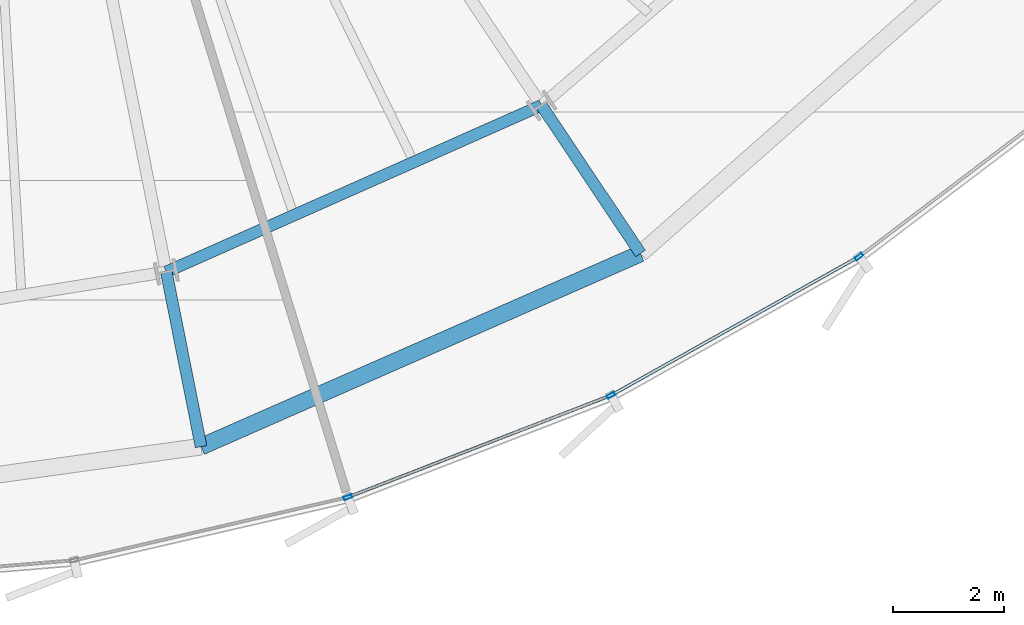
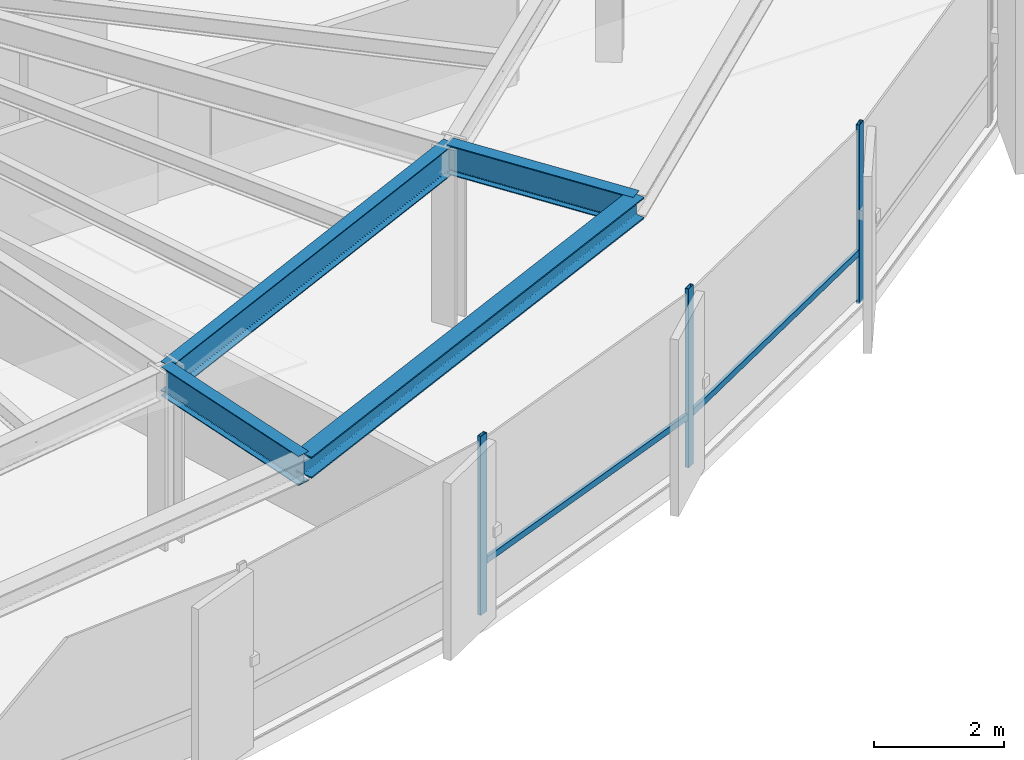
# One storey, part 12 of 35: 5 members, 4 beams, 1 element without a shape of its own.
"""IFC4 building model written with IfcOpenShell, lengths in metres."""

from ifc_helpers import new_model, si_unit, direction, frame, origin, origin_2d, place, context, subcontext, project, spatial, hollow_rectangle, i_section, extrude, source, transform, mapped, material, layer, layer_set, material_profile, profile_set, type_object, element, aggregate, save


model = new_model("IFC4")

# Units and contexts
model_context = context("Model", 3, precision=1e-05, world=origin(), true_north=direction((0.0, 1.0)))
body_context = subcontext(model_context, "Body", "Model", "MODEL_VIEW")
ifc_project = project(units=[si_unit("LENGTHUNIT", "METRE"), si_unit("AREAUNIT", "SQUARE_METRE"), si_unit("VOLUMEUNIT", "CUBIC_METRE"), si_unit("PLANEANGLEUNIT", "RADIAN"), si_unit("MASSUNIT", "GRAM", prefix="KILO"), si_unit("THERMODYNAMICTEMPERATUREUNIT", "KELVIN")], contexts=[model_context])

# Site, building, storey
site_placement = place(None, origin())
site = spatial("IfcSite", under=ifc_project, at=site_placement, CompositionType="ELEMENT")
building_placement = place(site_placement, origin())
building = spatial("IfcBuilding", under=site, at=building_placement, Name="Kethvar Cultural Tower", CompositionType="ELEMENT")
storey_placement = place(building_placement, frame((0.0, 0.0, 103.60009765625)))
storey = spatial("IfcBuildingStorey", under=building, at=storey_placement, Name="L25", CompositionType="ELEMENT", Elevation=103.60009765625)

# Beams
ifc_material_1 = material(Name="Steel S355J2", Category="steel")
ifc_material_profile_1 = material_profile(ifc_material_1, i_section(OverallWidth=0.2099609375, OverallDepth=0.550048828125, WebThickness=0.010986328125, FlangeThickness=0.01708984375, FilletRadius=0.02392578125, at=origin_2d()), Name="Steel S355J2 — IPE550")
ifc_profile_set_1 = profile_set([ifc_material_profile_1], Name="Steel S355J2 — IPE550")
beam_type_1 = type_object("IfcBeamType", Name="BM-IPE550", PredefinedType="BEAM", material=ifc_profile_set_1)
shared_shape_1 = source(origin(), body_context, "Body", "SweptSolid", [
    extrude(i_section(OverallWidth=0.2099609375, OverallDepth=0.550048828125, WebThickness=0.010986328125, FlangeThickness=0.01708984375, FilletRadius=0.02392578125, at=origin_2d()), origin(), (0.0, 0.0, 1.0), 3.199951171875),
])
beam_1_placement = place(storey_placement, frame((57.241943359375, 12.17236328125, 3.072998046875), z_axis=(0.555580212716, -0.831462943996, 0.0), x_axis=(0.831462943996, 0.555580212716, 0.0)))
element("IfcBeam", 1, at=beam_1_placement, inside=storey, type_object=beam_type_1, Name="L25 Perimeter Cantilever Beam RC-14", PredefinedType="BEAM", context=body_context, shape_type="MappedRepresentation", body=[
    mapped(shared_shape_1, transform((0.0, 0.0, 0.0), scale=1.0)),
])
shared_shape_2 = source(origin(), body_context, "Body", "SweptSolid", [
    extrude(i_section(OverallWidth=0.2099609375, OverallDepth=0.550048828125, WebThickness=0.010986328125, FlangeThickness=0.01708984375, FilletRadius=0.02392578125, at=origin_2d()), origin(), (0.0, 0.0, 1.0), 3.2001953125),
])
beam_2_placement = place(storey_placement, frame((50.50341796875, 9.182373046875, 3.072998046875), z_axis=(0.195074368086, -0.980788453702, 0.0), x_axis=(0.980788453702, 0.195074368086, 0.0)))
element("IfcBeam", 2, at=beam_2_placement, inside=storey, type_object=beam_type_1, Name="L25 Perimeter Cantilever Beam RC-13", PredefinedType="BEAM", context=body_context, shape_type="MappedRepresentation", body=[
    mapped(shared_shape_2, transform((0.0, 0.0, 0.0), scale=1.0)),
])
shared_shape_3 = source(origin(), body_context, "Body", "SweptSolid", [
    extrude(i_section(OverallWidth=0.2099609375, OverallDepth=0.550048828125, WebThickness=0.010986328125, FlangeThickness=0.01708984375, FilletRadius=0.02392578125, at=origin_2d()), origin(), (0.0, 0.0, 1.0), 7.3720703125),
])
beam_3_placement = place(storey_placement, frame((50.50341796875, 9.182373046875, 3.072998046875), z_axis=(0.914058560918, 0.405582232367, 0.0), x_axis=(-0.405582232367, 0.914058560918, 0.0)))
element("IfcBeam", 3, at=beam_3_placement, inside=storey, type_object=beam_type_1, Name="L25 Column Ring Tie Beam CR-13", PredefinedType="BEAM", context=body_context, shape_type="MappedRepresentation", body=[
    mapped(shared_shape_3, transform((0.0, 0.0, 0.0), scale=1.0)),
])
ifc_material_profile_2 = material_profile(ifc_material_1, i_section(OverallWidth=0.300048828125, OverallDepth=0.39990234375, WebThickness=0.013427734375, FlangeThickness=0.02392578125, FilletRadius=0.027099609375, at=origin_2d()), Name="Steel S355J2 — HEB400")
ifc_profile_set_2 = profile_set([ifc_material_profile_2], Name="Steel S355J2 — HEB400")
beam_type_2 = type_object("IfcBeamType", Name="BM-SP400", PredefinedType="SPANDREL", material=ifc_profile_set_2)
shared_shape_4 = source(origin(), body_context, "Body", "SweptSolid", [
    extrude(i_section(OverallWidth=0.300048828125, OverallDepth=0.39990234375, WebThickness=0.013427734375, FlangeThickness=0.02392578125, FilletRadius=0.027099609375, at=origin_2d()), origin(), (0.0, 0.0, 1.0), 8.620361328125),
])
beam_4_placement = place(storey_placement, frame((51.127685546875, 6.043701171875, 3.14794921875), z_axis=(0.915507442902, 0.402301034041, 0.0), x_axis=(-0.402301034041, 0.915507442902, 0.0)))
element("IfcBeam", 4, at=beam_4_placement, inside=storey, type_object=beam_type_2, Name="L25 Perimeter Spandrel Beam SP-13", PredefinedType="SPANDREL", context=body_context, shape_type="MappedRepresentation", body=[
    mapped(shared_shape_4, transform((0.0, 0.0, 0.0), scale=1.0)),
])

# Curtain wall, members
ifc_material_2 = material(Name="Aluminium 6063-T6", Category="aluminium")
ifc_layer = layer(ifc_material_2, 0.179931640625, Name="Aluminium 6063-T6", Category="aluminium")
ifc_layer_set = layer_set([ifc_layer], Name="Aluminium 6063-T6 (180 mm)")
curtain_wall_type = type_object("IfcCurtainWallType", Name="CW-SYS-03-Z2", PredefinedType="NOTDEFINED", material=ifc_layer_set)
curtain_wall_placement = place(storey_placement, origin())
curtain_wall = element("IfcCurtainWall", 5, at=curtain_wall_placement, inside=storey, type_object=curtain_wall_type, Name="L25 Curtain Wall Run 05", PredefinedType="NOTDEFINED")
ifc_material_profile_3 = material_profile(ifc_material_2, hollow_rectangle(XDim=0.06005859375, YDim=0.14990234375, WallThickness=0.0048828125, at=origin_2d()), Name="Aluminium 6063-T6 — RHS150x60x5")
ifc_profile_set_3 = profile_set([ifc_material_profile_3], Name="Aluminium 6063-T6 — RHS150x60x5")
member_type_1 = type_object("IfcMemberType", Name="CW-SYS-03-Z2-MUL", PredefinedType="MULLION", material=ifc_profile_set_3)
shared_shape_5 = source(origin(), body_context, "Body", "SweptSolid", [
    extrude(hollow_rectangle(XDim=0.06005859375, YDim=0.14990234375, WallThickness=0.0048828125, at=origin_2d()), origin(), (0.0, 0.0, 1.0), 3.349853515625),
])
member_1_placement = place(storey_placement, frame((53.76416015625, 5.134765625, 0.0), z_axis=(0.0, 0.0, 1.0), x_axis=(-0.361315379924, 0.9324436692, 0.0)))
member_1 = element("IfcMember", 6, at=member_1_placement, type_object=member_type_1, Name="CW-L25-R05 Mullion 4", PredefinedType="MULLION", context=body_context, shape_type="MappedRepresentation", body=[
    mapped(shared_shape_5, transform((0.0, 0.0, 0.0), scale=1.0)),
])
member_2_placement = place(storey_placement, frame((58.490966796875, 6.96533203125, 0.0), z_axis=(0.0, 0.0, 1.0), x_axis=(-0.488179569015, 0.872743208737, 0.0)))
member_2 = element("IfcMember", 7, at=member_2_placement, type_object=member_type_1, Name="CW-L25-R05 Mullion 5", PredefinedType="MULLION", context=body_context, shape_type="MappedRepresentation", body=[
    mapped(shared_shape_5, transform((0.0, 0.0, 0.0), scale=1.0)),
])
member_3_placement = place(storey_placement, frame((62.9453125, 9.455810546875, 0.0), z_axis=(0.0, 0.0, 1.0), x_axis=(-0.603959424873, 0.797015064542, 0.0)))
member_3 = element("IfcMember", 8, at=member_3_placement, type_object=member_type_1, Name="CW-L25-R05 Mullion 6", PredefinedType="MULLION", context=body_context, shape_type="MappedRepresentation", body=[
    mapped(shared_shape_5, transform((0.0, 0.0, 0.0), scale=1.0)),
])
ifc_material_profile_4 = material_profile(ifc_material_2, hollow_rectangle(XDim=0.054931640625, YDim=0.1201171875, WallThickness=0.00390625, at=origin_2d()), Name="Aluminium 6063-T6 — RHS120x55x4")
ifc_profile_set_4 = profile_set([ifc_material_profile_4], Name="Aluminium 6063-T6 — RHS120x55x4")
member_type_2 = type_object("IfcMemberType", Name="CW-SYS-03-Z2-TRN", PredefinedType="USERDEFINED", material=ifc_profile_set_4)
shared_shape_6 = source(origin(), body_context, "Body", "SweptSolid", [
    extrude(hollow_rectangle(XDim=0.054931640625, YDim=0.1201171875, WallThickness=0.00390625, at=origin_2d()), origin(), (0.0, 0.0, 1.0), 4.99853515625),
])
member_4_placement = place(storey_placement, frame((53.804443359375, 5.150390625, 0.949951171875), z_axis=(0.932437556994, 0.361331153247, 0.0), x_axis=(-0.361331153247, 0.932437556994, 0.0)))
member_4 = element("IfcMember", 9, at=member_4_placement, type_object=member_type_2, Name="CW-L25-R05 Transom 4", ObjectType="TRANSOM", PredefinedType="USERDEFINED", context=body_context, shape_type="MappedRepresentation", body=[
    mapped(shared_shape_6, transform((0.0, 0.0, 0.0), scale=1.0)),
])
shared_shape_7 = source(origin(), body_context, "Body", "SweptSolid", [
    extrude(hollow_rectangle(XDim=0.054931640625, YDim=0.1201171875, WallThickness=0.00390625, at=origin_2d()), origin(), (0.0, 0.0, 1.0), 5.032958984375),
])
member_5_placement = place(storey_placement, frame((58.52880859375, 6.986328125, 0.949951171875), z_axis=(0.872732574998, 0.488198579, 0.0), x_axis=(-0.488198579, 0.872732574998, 0.0)))
member_5 = element("IfcMember", 10, at=member_5_placement, type_object=member_type_2, Name="CW-L25-R05 Transom 5", ObjectType="TRANSOM", PredefinedType="USERDEFINED", context=body_context, shape_type="MappedRepresentation", body=[
    mapped(shared_shape_7, transform((0.0, 0.0, 0.0), scale=1.0)),
])
aggregate(curtain_wall, [member_1, member_2, member_3, member_4, member_5])

save(model, "model.ifc")
